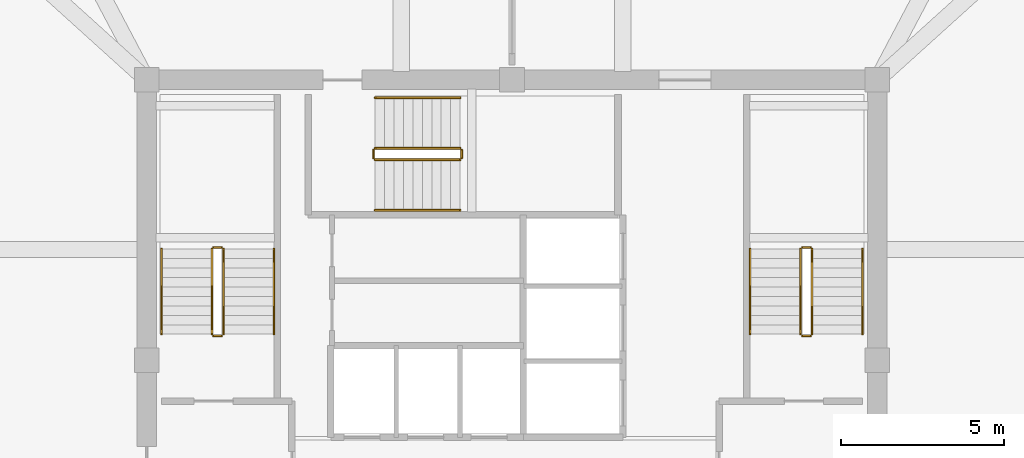
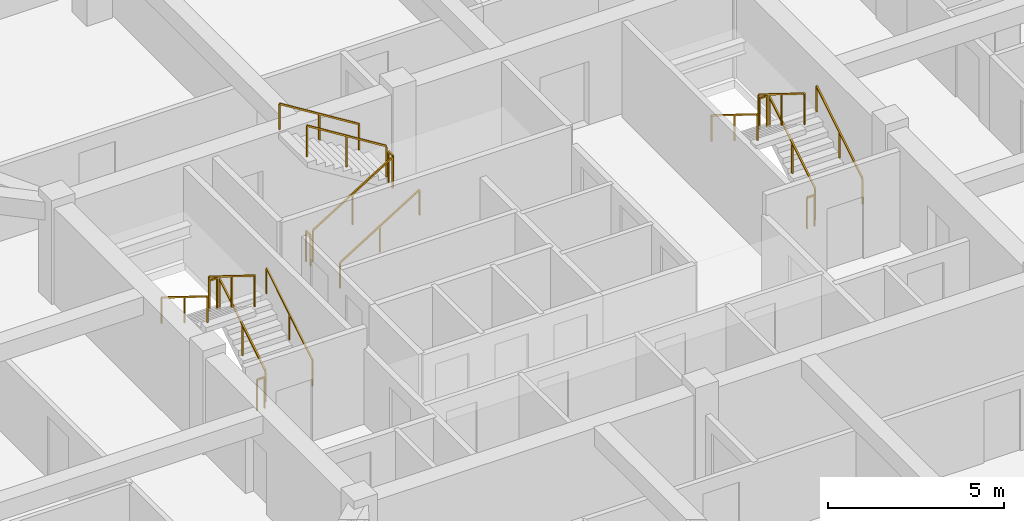
# One storey, part 13 of 13: 18 railings.
"""IFC4 building model written with IfcOpenShell, lengths in metres."""

from ifc_helpers import new_model, si_unit, derived_unit, direction, frame, origin, origin_2d, place, context, subcontext, project, spatial, rectangle, extrude, material, type_object, element, save


model = new_model("IFC4")

# Units and contexts
model_context = context("Model", 3, precision=1e-05, world=origin(), true_north=direction((0.0, 1.0)))
body_context = subcontext(model_context, "Body", "Model", "MODEL_VIEW")
ifc_project = project(units=[si_unit("LENGTHUNIT", "METRE"), si_unit("AREAUNIT", "SQUARE_METRE"), si_unit("VOLUMEUNIT", "CUBIC_METRE"), si_unit("PLANEANGLEUNIT", "RADIAN"), si_unit("MASSUNIT", "GRAM", prefix="KILO"), derived_unit("THERMALTRANSMITTANCEUNIT", [(si_unit("POWERUNIT", "WATT"), 1), (si_unit("LENGTHUNIT", "METRE"), -2), (si_unit("THERMODYNAMICTEMPERATUREUNIT", "KELVIN"), -1)])], contexts=[model_context])

# Site, building, storey
site_placement = place(None, origin())
site = spatial("IfcSite", under=ifc_project, at=site_placement, CompositionType="ELEMENT")
building_placement = place(site_placement, origin())
building = spatial("IfcBuilding", under=site, at=building_placement, Name="Koralith Skygarden Medical Center", CompositionType="ELEMENT")
storey_placement = place(building_placement, frame((0.0, 0.0, 264.419921875)))
storey = spatial("IfcBuildingStorey", under=building, at=storey_placement, Name="L68", CompositionType="ELEMENT", Elevation=264.419921875)

# Railings
ifc_material = material(Name="Steel ASTM A500 Grade C", Category="steel")
railing_type_1 = type_object("IfcRailingType", Name="Stair Flight Tubular Handrail 920", PredefinedType="HANDRAIL", material=ifc_material)
railing_1_placement = place(storey_placement, frame((29.699951171875, 26.699951171875, 0.18017578125)))
element("IfcRailing", 1, at=railing_1_placement, inside=storey, type_object=railing_type_1, Name="L68 ST1 stair handrail 1", PredefinedType="HANDRAIL", context=body_context, shape_type="SweptSolid", body=[
    extrude(rectangle(XDim=0.050048828125, YDim=0.050048828125, at=origin_2d()), frame((0.0, 0.001708984375, 0.89599609375), z_axis=(0.0, 0.849668407637, 0.527317358963), x_axis=(-1.0, 0.0, 0.0)), (0.0, 0.0, 1.0), 3.06787109375),
    extrude(rectangle(XDim=0.0419921875, YDim=0.0419921875, at=origin_2d()), origin(), (0.0, 0.0, 1.0), 0.867919921875),
    extrude(rectangle(XDim=0.0419921875, YDim=0.0419921875, at=origin_2d()), frame((0.0, 1.30517578125, 0.81005859375)), (0.0, 0.0, 1.0), 0.867919921875),
    extrude(rectangle(XDim=0.0419921875, YDim=0.0419921875, at=origin_2d()), frame((0.0, 2.610107421875, 1.619873046875)), (0.0, 0.0, 1.0), 0.867919921875),
])
railing_2_placement = place(storey_placement, frame((26.25, 29.31005859375, 1.97998046875)))
element("IfcRailing", 2, at=railing_2_placement, inside=storey, type_object=railing_type_1, Name="L68 ST1 stair handrail 2", PredefinedType="HANDRAIL", context=body_context, shape_type="SweptSolid", body=[
    extrude(rectangle(XDim=0.050048828125, YDim=0.050048828125, at=origin_2d()), frame((0.0, -0.001708984375, 0.89599609375), z_axis=(0.0, -0.849632798774, 0.527374731332), x_axis=(1.0, 0.0, 0.0)), (0.0, 0.0, 1.0), 3.068115234375),
    extrude(rectangle(XDim=0.0419921875, YDim=0.0419921875, at=origin_2d()), origin(), (0.0, 0.0, 1.0), 0.867919921875),
    extrude(rectangle(XDim=0.0419921875, YDim=0.0419921875, at=origin_2d()), frame((0.0, -1.30517578125, 0.81005859375)), (0.0, 0.0, 1.0), 0.867919921875),
    extrude(rectangle(XDim=0.0419921875, YDim=0.0419921875, at=origin_2d()), frame((0.0, -2.610107421875, 1.6201171875)), (0.0, 0.0, 1.0), 0.867919921875),
])
railing_3_placement = place(storey_placement, frame((47.75, 26.699951171875, 0.18017578125)))
element("IfcRailing", 3, at=railing_3_placement, inside=storey, type_object=railing_type_1, Name="L68 ST2 stair handrail 1", PredefinedType="HANDRAIL", context=body_context, shape_type="SweptSolid", body=[
    extrude(rectangle(XDim=0.050048828125, YDim=0.050048828125, at=origin_2d()), frame((0.0, 0.001708984375, 0.89599609375), z_axis=(0.0, 0.849668407637, 0.527317358963), x_axis=(-1.0, 0.0, 0.0)), (0.0, 0.0, 1.0), 3.06787109375),
    extrude(rectangle(XDim=0.0419921875, YDim=0.0419921875, at=origin_2d()), origin(), (0.0, 0.0, 1.0), 0.867919921875),
    extrude(rectangle(XDim=0.0419921875, YDim=0.0419921875, at=origin_2d()), frame((0.0, 1.30517578125, 0.81005859375)), (0.0, 0.0, 1.0), 0.867919921875),
    extrude(rectangle(XDim=0.0419921875, YDim=0.0419921875, at=origin_2d()), frame((0.0, 2.610107421875, 1.619873046875)), (0.0, 0.0, 1.0), 0.867919921875),
])
railing_4_placement = place(storey_placement, frame((44.300048828125, 29.31005859375, 1.97998046875)))
element("IfcRailing", 4, at=railing_4_placement, inside=storey, type_object=railing_type_1, Name="L68 ST2 stair handrail 2", PredefinedType="HANDRAIL", context=body_context, shape_type="SweptSolid", body=[
    extrude(rectangle(XDim=0.050048828125, YDim=0.050048828125, at=origin_2d()), frame((0.0, -0.001708984375, 0.89599609375), z_axis=(0.0, -0.849632798774, 0.527374731332), x_axis=(1.0, 0.0, 0.0)), (0.0, 0.0, 1.0), 3.068115234375),
    extrude(rectangle(XDim=0.0419921875, YDim=0.0419921875, at=origin_2d()), origin(), (0.0, 0.0, 1.0), 0.867919921875),
    extrude(rectangle(XDim=0.0419921875, YDim=0.0419921875, at=origin_2d()), frame((0.0, -1.30517578125, 0.81005859375)), (0.0, 0.0, 1.0), 0.867919921875),
    extrude(rectangle(XDim=0.0419921875, YDim=0.0419921875, at=origin_2d()), frame((0.0, -2.610107421875, 1.6201171875)), (0.0, 0.0, 1.0), 0.867919921875),
])
railing_5_placement = place(storey_placement, frame((32.800048828125, 30.5, 0.18017578125)))
element("IfcRailing", 5, at=railing_5_placement, inside=storey, type_object=railing_type_1, Name="L68 ST3 stair handrail 1", PredefinedType="HANDRAIL", context=body_context, shape_type="SweptSolid", body=[
    extrude(rectangle(XDim=0.050048828125, YDim=0.050048828125, at=origin_2d()), frame((0.001708984375, 0.0, 0.89599609375), z_axis=(0.849646306263, 0.0, 0.527352969322), x_axis=(0.0, 1.0, 0.0)), (0.0, 0.0, 1.0), 3.067626953125),
    extrude(rectangle(XDim=0.0419921875, YDim=0.0419921875, at=origin_2d()), origin(), (0.0, 0.0, 1.0), 0.867919921875),
    extrude(rectangle(XDim=0.0419921875, YDim=0.0419921875, at=origin_2d()), frame((1.304931640625, 0.0, 0.81005859375)), (0.0, 0.0, 1.0), 0.867919921875),
    extrude(rectangle(XDim=0.0419921875, YDim=0.0419921875, at=origin_2d()), frame((2.60986328125, 0.0, 1.619873046875)), (0.0, 0.0, 1.0), 0.867919921875),
])
railing_6_placement = place(storey_placement, frame((35.409912109375, 33.949951171875, 1.97998046875)))
element("IfcRailing", 6, at=railing_6_placement, inside=storey, type_object=railing_type_1, Name="L68 ST3 stair handrail 2", PredefinedType="HANDRAIL", context=body_context, shape_type="SweptSolid", body=[
    extrude(rectangle(XDim=0.050048828125, YDim=0.050048828125, at=origin_2d()), frame((-0.001708984375, 0.0, 0.89599609375), z_axis=(-0.849610693518, 0.0, 0.52741034258), x_axis=(0.0, -1.0, 0.0)), (0.0, 0.0, 1.0), 3.06787109375),
    extrude(rectangle(XDim=0.0419921875, YDim=0.0419921875, at=origin_2d()), origin(), (0.0, 0.0, 1.0), 0.867919921875),
    extrude(rectangle(XDim=0.0419921875, YDim=0.0419921875, at=origin_2d()), frame((-1.304931640625, 0.0, 0.81005859375)), (0.0, 0.0, 1.0), 0.867919921875),
    extrude(rectangle(XDim=0.0419921875, YDim=0.0419921875, at=origin_2d()), frame((-2.60986328125, 0.0, 1.6201171875)), (0.0, 0.0, 1.0), 0.867919921875),
])
railing_type_2 = type_object("IfcRailingType", Name="Stair Well Safety Guardrail 1100", PredefinedType="GUARDRAIL", material=ifc_material)
railing_7_placement = place(storey_placement, frame((28.14990234375, 26.699951171875, 0.18017578125)))
element("IfcRailing", 7, at=railing_7_placement, inside=storey, type_object=railing_type_2, Name="L68 ST1 stair guard 1", PredefinedType="GUARDRAIL", context=body_context, shape_type="SweptSolid", body=[
    extrude(rectangle(XDim=0.050048828125, YDim=0.050048828125, at=origin_2d()), frame((0.0, 0.001708984375, 1.076171875), z_axis=(0.0, 0.849668407637, 0.527317358963), x_axis=(-1.0, 0.0, 0.0)), (0.0, 0.0, 1.0), 3.06787109375),
    extrude(rectangle(XDim=0.0419921875, YDim=0.0419921875, at=origin_2d()), origin(), (0.0, 0.0, 1.0), 1.048095703125),
    extrude(rectangle(XDim=0.0419921875, YDim=0.0419921875, at=origin_2d()), frame((0.0, 1.30517578125, 0.81005859375)), (0.0, 0.0, 1.0), 1.048095703125),
    extrude(rectangle(XDim=0.0419921875, YDim=0.0419921875, at=origin_2d()), frame((0.0, 2.610107421875, 1.619873046875)), (0.0, 0.0, 1.0), 1.048095703125),
])
railing_8_placement = place(storey_placement, frame((28.10009765625, 29.360107421875, 1.800048828125)))
element("IfcRailing", 8, at=railing_8_placement, inside=storey, type_object=railing_type_2, Name="L68 ST1 stair guard 2", PredefinedType="GUARDRAIL", context=body_context, shape_type="SweptSolid", body=[
    extrude(rectangle(XDim=0.050048828125, YDim=0.050048828125, at=origin_2d()), frame((-0.001953125, 0.0, 1.0751953125), z_axis=(-1.0, 0.0, 0.0), x_axis=(0.0, -1.0, 0.0)), (0.0, 0.0, 1.0), 0.24609375),
    extrude(rectangle(XDim=0.0419921875, YDim=0.0419921875, at=origin_2d()), origin(), (0.0, 0.0, 1.0), 1.048095703125),
    extrude(rectangle(XDim=0.0419921875, YDim=0.0419921875, at=origin_2d()), frame((-0.25, 0.0, 0.0)), (0.0, 0.0, 1.0), 1.048095703125),
])
railing_9_placement = place(storey_placement, frame((27.800048828125, 29.31005859375, 1.97998046875)))
element("IfcRailing", 9, at=railing_9_placement, inside=storey, type_object=railing_type_2, Name="L68 ST1 stair guard 3", PredefinedType="GUARDRAIL", context=body_context, shape_type="SweptSolid", body=[
    extrude(rectangle(XDim=0.050048828125, YDim=0.050048828125, at=origin_2d()), frame((0.0, -0.001708984375, 1.076171875), z_axis=(0.0, -0.849632798774, 0.527374731332), x_axis=(1.0, 0.0, 0.0)), (0.0, 0.0, 1.0), 3.068115234375),
    extrude(rectangle(XDim=0.0419921875, YDim=0.0419921875, at=origin_2d()), origin(), (0.0, 0.0, 1.0), 1.048095703125),
    extrude(rectangle(XDim=0.0419921875, YDim=0.0419921875, at=origin_2d()), frame((0.0, -1.30517578125, 0.81005859375)), (0.0, 0.0, 1.0), 1.048095703125),
    extrude(rectangle(XDim=0.0419921875, YDim=0.0419921875, at=origin_2d()), frame((0.0, -2.610107421875, 1.6201171875)), (0.0, 0.0, 1.0), 1.048095703125),
])
railing_10_placement = place(storey_placement, frame((28.10009765625, 26.64990234375, 0.0)))
element("IfcRailing", 10, at=railing_10_placement, inside=storey, type_object=railing_type_2, Name="L68 ST1 stair guard 4", PredefinedType="GUARDRAIL", context=body_context, shape_type="SweptSolid", body=[
    extrude(rectangle(XDim=0.050048828125, YDim=0.050048828125, at=origin_2d()), frame((-0.001953125, 0.0, 1.0751953125), z_axis=(-1.0, 0.0, 0.0), x_axis=(0.0, -1.0, 0.0)), (0.0, 0.0, 1.0), 0.24609375),
    extrude(rectangle(XDim=0.0419921875, YDim=0.0419921875, at=origin_2d()), origin(), (0.0, 0.0, 1.0), 1.048095703125),
    extrude(rectangle(XDim=0.0419921875, YDim=0.0419921875, at=origin_2d()), frame((-0.25, 0.0, 0.0)), (0.0, 0.0, 1.0), 1.048095703125),
])
railing_11_placement = place(storey_placement, frame((46.199951171875, 26.699951171875, 0.18017578125)))
element("IfcRailing", 11, at=railing_11_placement, inside=storey, type_object=railing_type_2, Name="L68 ST2 stair guard 1", PredefinedType="GUARDRAIL", context=body_context, shape_type="SweptSolid", body=[
    extrude(rectangle(XDim=0.050048828125, YDim=0.050048828125, at=origin_2d()), frame((0.0, 0.001708984375, 1.076171875), z_axis=(0.0, 0.849668407637, 0.527317358963), x_axis=(-1.0, 0.0, 0.0)), (0.0, 0.0, 1.0), 3.06787109375),
    extrude(rectangle(XDim=0.0419921875, YDim=0.0419921875, at=origin_2d()), origin(), (0.0, 0.0, 1.0), 1.048095703125),
    extrude(rectangle(XDim=0.0419921875, YDim=0.0419921875, at=origin_2d()), frame((0.0, 1.30517578125, 0.81005859375)), (0.0, 0.0, 1.0), 1.048095703125),
    extrude(rectangle(XDim=0.0419921875, YDim=0.0419921875, at=origin_2d()), frame((0.0, 2.610107421875, 1.619873046875)), (0.0, 0.0, 1.0), 1.048095703125),
])
railing_12_placement = place(storey_placement, frame((46.14990234375, 29.360107421875, 1.800048828125)))
element("IfcRailing", 12, at=railing_12_placement, inside=storey, type_object=railing_type_2, Name="L68 ST2 stair guard 2", PredefinedType="GUARDRAIL", context=body_context, shape_type="SweptSolid", body=[
    extrude(rectangle(XDim=0.050048828125, YDim=0.050048828125, at=origin_2d()), frame((-0.001953125, 0.0, 1.0751953125), z_axis=(-1.0, 0.0, 0.0), x_axis=(0.0, -1.0, 0.0)), (0.0, 0.0, 1.0), 0.24609375),
    extrude(rectangle(XDim=0.0419921875, YDim=0.0419921875, at=origin_2d()), origin(), (0.0, 0.0, 1.0), 1.048095703125),
    extrude(rectangle(XDim=0.0419921875, YDim=0.0419921875, at=origin_2d()), frame((-0.25, 0.0, 0.0)), (0.0, 0.0, 1.0), 1.048095703125),
])
railing_13_placement = place(storey_placement, frame((45.85009765625, 29.31005859375, 1.97998046875)))
element("IfcRailing", 13, at=railing_13_placement, inside=storey, type_object=railing_type_2, Name="L68 ST2 stair guard 3", PredefinedType="GUARDRAIL", context=body_context, shape_type="SweptSolid", body=[
    extrude(rectangle(XDim=0.050048828125, YDim=0.050048828125, at=origin_2d()), frame((0.0, -0.001708984375, 1.076171875), z_axis=(0.0, -0.849632798774, 0.527374731332), x_axis=(1.0, 0.0, 0.0)), (0.0, 0.0, 1.0), 3.068115234375),
    extrude(rectangle(XDim=0.0419921875, YDim=0.0419921875, at=origin_2d()), origin(), (0.0, 0.0, 1.0), 1.048095703125),
    extrude(rectangle(XDim=0.0419921875, YDim=0.0419921875, at=origin_2d()), frame((0.0, -1.30517578125, 0.81005859375)), (0.0, 0.0, 1.0), 1.048095703125),
    extrude(rectangle(XDim=0.0419921875, YDim=0.0419921875, at=origin_2d()), frame((0.0, -2.610107421875, 1.6201171875)), (0.0, 0.0, 1.0), 1.048095703125),
])
railing_14_placement = place(storey_placement, frame((46.14990234375, 26.64990234375, 0.0)))
element("IfcRailing", 14, at=railing_14_placement, inside=storey, type_object=railing_type_2, Name="L68 ST2 stair guard 4", PredefinedType="GUARDRAIL", context=body_context, shape_type="SweptSolid", body=[
    extrude(rectangle(XDim=0.050048828125, YDim=0.050048828125, at=origin_2d()), frame((-0.001953125, 0.0, 1.0751953125), z_axis=(-1.0, 0.0, 0.0), x_axis=(0.0, -1.0, 0.0)), (0.0, 0.0, 1.0), 0.24609375),
    extrude(rectangle(XDim=0.0419921875, YDim=0.0419921875, at=origin_2d()), origin(), (0.0, 0.0, 1.0), 1.048095703125),
    extrude(rectangle(XDim=0.0419921875, YDim=0.0419921875, at=origin_2d()), frame((-0.25, 0.0, 0.0)), (0.0, 0.0, 1.0), 1.048095703125),
])
railing_15_placement = place(storey_placement, frame((32.800048828125, 32.050048828125, 0.18017578125)))
element("IfcRailing", 15, at=railing_15_placement, inside=storey, type_object=railing_type_2, Name="L68 ST3 stair guard 1", PredefinedType="GUARDRAIL", context=body_context, shape_type="SweptSolid", body=[
    extrude(rectangle(XDim=0.050048828125, YDim=0.050048828125, at=origin_2d()), frame((0.001708984375, 0.0, 1.076171875), z_axis=(0.849646306263, 0.0, 0.527352969322), x_axis=(0.0, 1.0, 0.0)), (0.0, 0.0, 1.0), 3.067626953125),
    extrude(rectangle(XDim=0.0419921875, YDim=0.0419921875, at=origin_2d()), origin(), (0.0, 0.0, 1.0), 1.048095703125),
    extrude(rectangle(XDim=0.0419921875, YDim=0.0419921875, at=origin_2d()), frame((1.304931640625, 0.0, 0.81005859375)), (0.0, 0.0, 1.0), 1.048095703125),
    extrude(rectangle(XDim=0.0419921875, YDim=0.0419921875, at=origin_2d()), frame((2.60986328125, 0.0, 1.619873046875)), (0.0, 0.0, 1.0), 1.048095703125),
])
railing_16_placement = place(storey_placement, frame((35.4599609375, 32.10009765625, 1.800048828125)))
element("IfcRailing", 16, at=railing_16_placement, inside=storey, type_object=railing_type_2, Name="L68 ST3 stair guard 2", PredefinedType="GUARDRAIL", context=body_context, shape_type="SweptSolid", body=[
    extrude(rectangle(XDim=0.050048828125, YDim=0.050048828125, at=origin_2d()), frame((0.0, 0.001953125, 1.0751953125), z_axis=(0.0, 1.0, 0.0), x_axis=(-1.0, 0.0, 0.0)), (0.0, 0.0, 1.0), 0.24609375),
    extrude(rectangle(XDim=0.0419921875, YDim=0.0419921875, at=origin_2d()), origin(), (0.0, 0.0, 1.0), 1.048095703125),
    extrude(rectangle(XDim=0.0419921875, YDim=0.0419921875, at=origin_2d()), frame((0.0, 0.25, 0.0)), (0.0, 0.0, 1.0), 1.048095703125),
])
railing_17_placement = place(storey_placement, frame((35.409912109375, 32.39990234375, 1.97998046875)))
element("IfcRailing", 17, at=railing_17_placement, inside=storey, type_object=railing_type_2, Name="L68 ST3 stair guard 3", PredefinedType="GUARDRAIL", context=body_context, shape_type="SweptSolid", body=[
    extrude(rectangle(XDim=0.050048828125, YDim=0.050048828125, at=origin_2d()), frame((-0.001708984375, 0.0, 1.076171875), z_axis=(-0.849610693518, 0.0, 0.52741034258), x_axis=(0.0, -1.0, 0.0)), (0.0, 0.0, 1.0), 3.06787109375),
    extrude(rectangle(XDim=0.0419921875, YDim=0.0419921875, at=origin_2d()), origin(), (0.0, 0.0, 1.0), 1.048095703125),
    extrude(rectangle(XDim=0.0419921875, YDim=0.0419921875, at=origin_2d()), frame((-1.304931640625, 0.0, 0.81005859375)), (0.0, 0.0, 1.0), 1.048095703125),
    extrude(rectangle(XDim=0.0419921875, YDim=0.0419921875, at=origin_2d()), frame((-2.60986328125, 0.0, 1.6201171875)), (0.0, 0.0, 1.0), 1.048095703125),
])
railing_18_placement = place(storey_placement, frame((32.75, 32.10009765625, 0.0)))
element("IfcRailing", 18, at=railing_18_placement, inside=storey, type_object=railing_type_2, Name="L68 ST3 stair guard 4", PredefinedType="GUARDRAIL", context=body_context, shape_type="SweptSolid", body=[
    extrude(rectangle(XDim=0.050048828125, YDim=0.050048828125, at=origin_2d()), frame((0.0, 0.001953125, 1.0751953125), z_axis=(0.0, 1.0, 0.0), x_axis=(-1.0, 0.0, 0.0)), (0.0, 0.0, 1.0), 0.24609375),
    extrude(rectangle(XDim=0.0419921875, YDim=0.0419921875, at=origin_2d()), origin(), (0.0, 0.0, 1.0), 1.048095703125),
    extrude(rectangle(XDim=0.0419921875, YDim=0.0419921875, at=origin_2d()), frame((0.0, 0.25, 0.0)), (0.0, 0.0, 1.0), 1.048095703125),
])

save(model, "model.ifc")
